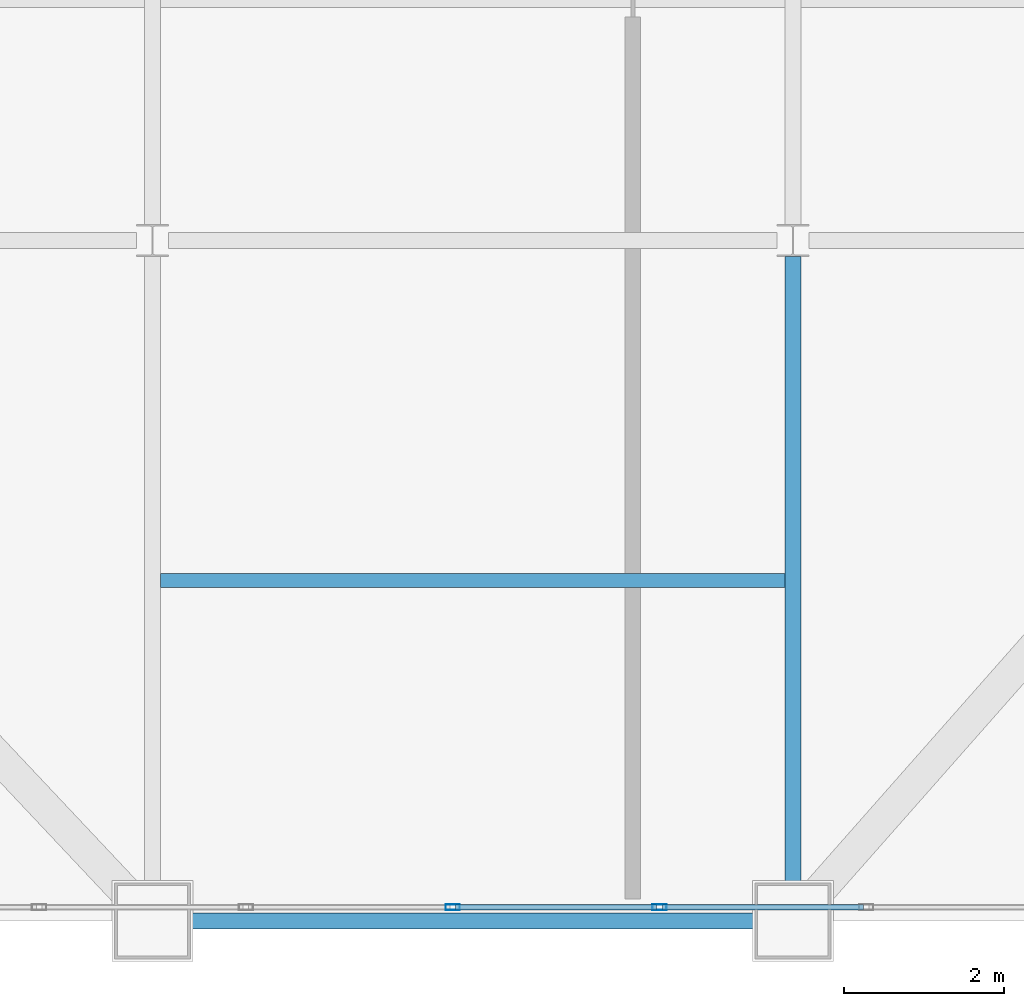
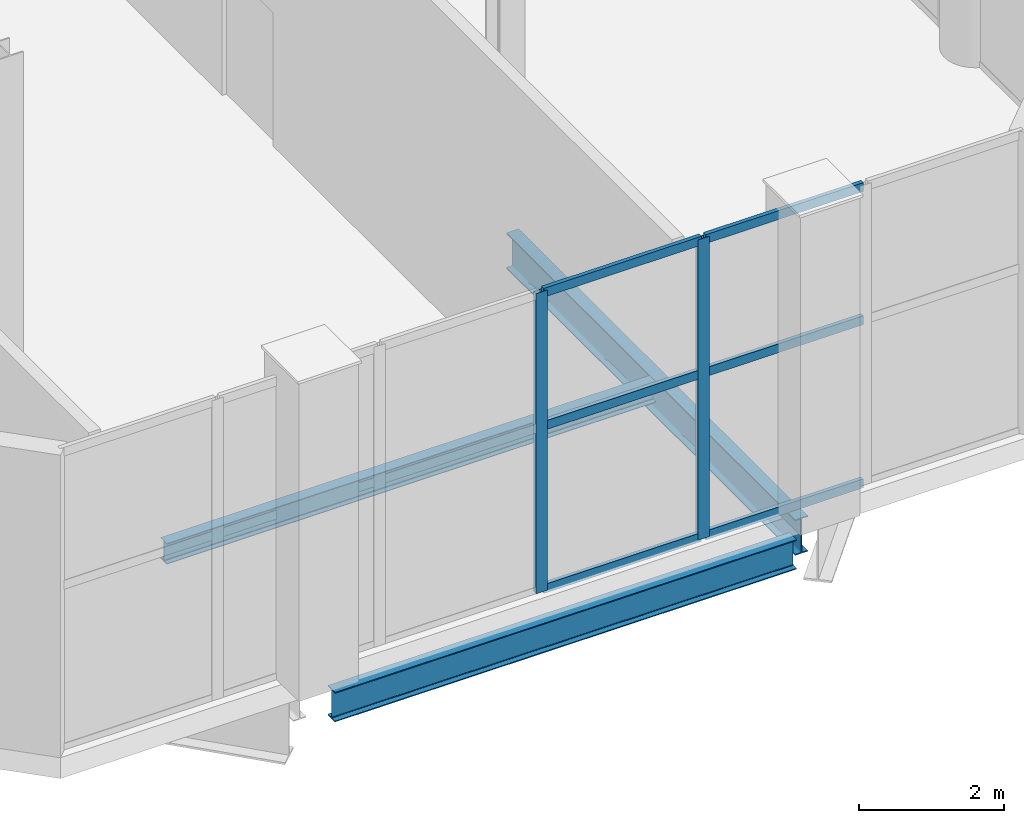
# One storey, part 8 of 24: 8 members, 3 beams, 1 element without a shape of its own.
"""IFC4 building model written with IfcOpenShell, lengths in metres."""

from ifc_helpers import new_model, si_unit, direction, frame, origin, origin_2d, place, context, subcontext, project, spatial, hollow_rectangle, i_section, extrude, material, layer, layer_set, material_profile, profile_set, type_object, element, aggregate, save


model = new_model("IFC4")

# Units and contexts
model_context = context("Model", 3, precision=1e-05, world=origin(), true_north=direction((0.0, 1.0)))
body_context = subcontext(model_context, "Body", "Model", "MODEL_VIEW")
ifc_project = project(units=[si_unit("LENGTHUNIT", "METRE"), si_unit("AREAUNIT", "SQUARE_METRE"), si_unit("VOLUMEUNIT", "CUBIC_METRE"), si_unit("PLANEANGLEUNIT", "RADIAN"), si_unit("MASSUNIT", "GRAM", prefix="KILO")], contexts=[model_context])

# Site, building, storey
site_placement = place(None, origin())
site = spatial("IfcSite", under=ifc_project, at=site_placement, CompositionType="ELEMENT")
building_placement = place(site_placement, origin())
building = spatial("IfcBuilding", under=site, at=building_placement, Name="Qianrong Seaharbour Tower", CompositionType="ELEMENT")
storey_placement = place(building_placement, frame((0.0, 0.0, 195.0)))
storey = spatial("IfcBuildingStorey", under=building, at=storey_placement, Name="L47", CompositionType="ELEMENT", Elevation=195.0)

# Beams
ifc_material_1 = material(Name="Structural steel SN490B", Category="steel")
ifc_material_profile_1 = material_profile(ifc_material_1, i_section(OverallWidth=0.199951171875, OverallDepth=0.60009765625, WebThickness=0.010986328125, FlangeThickness=0.01708984375, FilletRadius=0.02197265625, at=origin_2d()), Name="H600x200x11x17")
ifc_profile_set_1 = profile_set([ifc_material_profile_1], Name="Structural steel SN490B")
beam_type_1 = type_object("IfcBeamType", Name="BM-G-600", PredefinedType="BEAM", material=ifc_profile_set_1)
beam_1_placement = place(storey_placement, frame((56.5, 4.320068359375, -0.64990234375), z_axis=(0.0, 1.0, 0.0), x_axis=(-1.0, 0.0, 0.0)))
element("IfcBeam", 1, at=beam_1_placement, inside=storey, type_object=beam_type_1, Name="L47 Primary Girder G8 GB-GC", PredefinedType="BEAM", context=body_context, shape_type="SweptSolid", body=[
    extrude(i_section(OverallWidth=0.199951171875, OverallDepth=0.60009765625, WebThickness=0.010986328125, FlangeThickness=0.01708984375, FilletRadius=0.02197265625, at=origin_2d()), origin(), (0.0, 0.0, 1.0), 7.97998046875),
])
ifc_material_2 = material(Name="Structural steel SN400B", Category="steel")
ifc_material_profile_2 = material_profile(ifc_material_2, i_section(OverallWidth=0.175048828125, OverallDepth=0.35009765625, WebThickness=0.007080078125, FlangeThickness=0.010986328125, FilletRadius=0.013916015625, at=origin_2d()), Name="H350x175x7x11")
ifc_profile_set_2 = profile_set([ifc_material_profile_2], Name="Structural steel SN400B")
beam_type_2 = type_object("IfcBeamType", Name="BM-J-350", PredefinedType="JOIST", material=ifc_profile_set_2)
beam_2_placement = place(storey_placement, frame((48.60009765625, 8.25, -0.52490234375), z_axis=(1.0, 0.0, 0.0), x_axis=(0.0, 1.0, 0.0)))
element("IfcBeam", 2, at=beam_2_placement, inside=storey, type_object=beam_type_2, Name="L47 Composite Floor Joist G7-G8/GB-GC", PredefinedType="JOIST", context=body_context, shape_type="SweptSolid", body=[
    extrude(i_section(OverallWidth=0.175048828125, OverallDepth=0.35009765625, WebThickness=0.007080078125, FlangeThickness=0.010986328125, FilletRadius=0.013916015625, at=origin_2d()), origin(), (0.0, 0.0, 1.0), 7.7998046875),
])
ifc_material_profile_3 = material_profile(ifc_material_1, i_section(OverallWidth=0.199951171875, OverallDepth=0.5, WebThickness=0.010009765625, FlangeThickness=0.01611328125, FilletRadius=0.02001953125, at=origin_2d()), Name="H500x200x10x16")
ifc_profile_set_3 = profile_set([ifc_material_profile_3], Name="Structural steel SN490B")
beam_type_3 = type_object("IfcBeamType", Name="BM-SP-500", PredefinedType="SPANDREL", material=ifc_profile_set_3)
beam_3_placement = place(storey_placement, frame((48.820068359375, 4.0, -0.60009765625), z_axis=(1.0, 0.0, 0.0), x_axis=(0.0, 1.0, 0.0)))
element("IfcBeam", 3, at=beam_3_placement, inside=storey, type_object=beam_type_3, Name="L47 Spandrel Girder GB G7-G8", PredefinedType="SPANDREL", context=body_context, shape_type="SweptSolid", body=[
    extrude(i_section(OverallWidth=0.199951171875, OverallDepth=0.5, WebThickness=0.010009765625, FlangeThickness=0.01611328125, FilletRadius=0.02001953125, at=origin_2d()), origin(), (0.0, 0.0, 1.0), 7.35986328125),
])

# Curtain wall, members
ifc_material_3 = material(Name="Anodised aluminium 6063-T6 and laminated low-e glass", Category="aluminium")
ifc_layer = layer(ifc_material_3, 0.18505859375)
ifc_layer_set = layer_set([ifc_layer], Name="Anodised aluminium 6063-T6 and laminated low-e glass")
curtain_wall_type = type_object("IfcCurtainWallType", Name="CW-SYS-4", PredefinedType="NOTDEFINED", material=ifc_layer_set)
curtain_wall_placement = place(storey_placement, origin())
curtain_wall = element("IfcCurtainWall", 4, at=curtain_wall_placement, inside=storey, type_object=curtain_wall_type, Name="L47 Refuge Acoustic Louvre Curtain Wall SOUTH_TIP", PredefinedType="NOTDEFINED")
ifc_material_4 = material(Name="Extruded aluminium 6063-T6", Category="aluminium")
ifc_material_profile_4 = material_profile(ifc_material_4, hollow_rectangle(XDim=0.070068359375, YDim=0.179931640625, WallThickness=0.00390625, at=origin_2d()), Name="ALU-MUL-180x70x4")
ifc_profile_set_4 = profile_set([ifc_material_profile_4], Name="Extruded aluminium 6063-T6")
member_type_1 = type_object("IfcMemberType", Name="CW-MUL-180", PredefinedType="MULLION", material=ifc_profile_set_4)
member_1_placement = place(storey_placement, frame((54.833251953125, 4.169921875, 0.0), z_axis=(0.0, 0.0, 1.0), x_axis=(0.0, -1.0, 0.0)))
member_1 = element("IfcMember", 5, at=member_1_placement, type_object=member_type_1, Name="CW-4 mullion 3", PredefinedType="MULLION", context=body_context, shape_type="SweptSolid", body=[
    extrude(hollow_rectangle(XDim=0.070068359375, YDim=0.179931640625, WallThickness=0.00390625, at=origin_2d()), origin(), (0.0, 0.0, 1.0), 5.06005859375),
])
member_2_placement = place(storey_placement, frame((52.25, 4.169921875, 0.0), z_axis=(0.0, 0.0, 1.0), x_axis=(0.0, -1.0, 0.0)))
member_2 = element("IfcMember", 6, at=member_2_placement, type_object=member_type_1, Name="CW-4 mullion 4", PredefinedType="MULLION", context=body_context, shape_type="SweptSolid", body=[
    extrude(hollow_rectangle(XDim=0.070068359375, YDim=0.179931640625, WallThickness=0.00390625, at=origin_2d()), origin(), (0.0, 0.0, 1.0), 5.06005859375),
])
ifc_material_profile_5 = material_profile(ifc_material_4, hollow_rectangle(XDim=0.06494140625, YDim=0.14990234375, WallThickness=0.00390625, at=origin_2d()), Name="ALU-TRN-150x65x4")
ifc_profile_set_5 = profile_set([ifc_material_profile_5], Name="Extruded aluminium 6063-T6")
member_type_2 = type_object("IfcMemberType", Name="CW-TRN-150", PredefinedType="USERDEFINED", material=ifc_profile_set_5)
member_3_placement = place(storey_placement, frame((57.381591796875, 4.169921875, 0.032470703125), z_axis=(-1.0, 0.0, 0.0), x_axis=(0.0, -1.0, 0.0)))
member_3 = element("IfcMember", 7, at=member_3_placement, type_object=member_type_2, Name="CW-4 transom 2.1", ObjectType="TRANSOM", PredefinedType="USERDEFINED", context=body_context, shape_type="SweptSolid", body=[
    extrude(hollow_rectangle(XDim=0.06494140625, YDim=0.14990234375, WallThickness=0.00390625, at=origin_2d()), origin(), (0.0, 0.0, 1.0), 2.51318359375),
])
member_4_placement = place(storey_placement, frame((57.381591796875, 4.169921875, 2.782958984375), z_axis=(-1.0, 0.0, 0.0), x_axis=(0.0, -1.0, 0.0)))
member_4 = element("IfcMember", 8, at=member_4_placement, type_object=member_type_2, Name="CW-4 transom 2.2", ObjectType="TRANSOM", PredefinedType="USERDEFINED", context=body_context, shape_type="SweptSolid", body=[
    extrude(hollow_rectangle(XDim=0.06494140625, YDim=0.14990234375, WallThickness=0.00390625, at=origin_2d()), origin(), (0.0, 0.0, 1.0), 2.51318359375),
])
member_5_placement = place(storey_placement, frame((57.381591796875, 4.169921875, 5.027587890625), z_axis=(-1.0, 0.0, 0.0), x_axis=(0.0, -1.0, 0.0)))
member_5 = element("IfcMember", 9, at=member_5_placement, type_object=member_type_2, Name="CW-4 transom 2.3", ObjectType="TRANSOM", PredefinedType="USERDEFINED", context=body_context, shape_type="SweptSolid", body=[
    extrude(hollow_rectangle(XDim=0.06494140625, YDim=0.14990234375, WallThickness=0.00390625, at=origin_2d()), origin(), (0.0, 0.0, 1.0), 2.51318359375),
])
member_6_placement = place(storey_placement, frame((54.79833984375, 4.169921875, 0.032470703125), z_axis=(-1.0, 0.0, 0.0), x_axis=(0.0, -1.0, 0.0)))
member_6 = element("IfcMember", 10, at=member_6_placement, type_object=member_type_2, Name="CW-4 transom 3.1", ObjectType="TRANSOM", PredefinedType="USERDEFINED", context=body_context, shape_type="SweptSolid", body=[
    extrude(hollow_rectangle(XDim=0.06494140625, YDim=0.14990234375, WallThickness=0.00390625, at=origin_2d()), origin(), (0.0, 0.0, 1.0), 2.513427734375),
])
member_7_placement = place(storey_placement, frame((54.79833984375, 4.169921875, 2.782958984375), z_axis=(-1.0, 0.0, 0.0), x_axis=(0.0, -1.0, 0.0)))
member_7 = element("IfcMember", 11, at=member_7_placement, type_object=member_type_2, Name="CW-4 transom 3.2", ObjectType="TRANSOM", PredefinedType="USERDEFINED", context=body_context, shape_type="SweptSolid", body=[
    extrude(hollow_rectangle(XDim=0.06494140625, YDim=0.14990234375, WallThickness=0.00390625, at=origin_2d()), origin(), (0.0, 0.0, 1.0), 2.513427734375),
])
member_8_placement = place(storey_placement, frame((54.79833984375, 4.169921875, 5.027587890625), z_axis=(-1.0, 0.0, 0.0), x_axis=(0.0, -1.0, 0.0)))
member_8 = element("IfcMember", 12, at=member_8_placement, type_object=member_type_2, Name="CW-4 transom 3.3", ObjectType="TRANSOM", PredefinedType="USERDEFINED", context=body_context, shape_type="SweptSolid", body=[
    extrude(hollow_rectangle(XDim=0.06494140625, YDim=0.14990234375, WallThickness=0.00390625, at=origin_2d()), origin(), (0.0, 0.0, 1.0), 2.513427734375),
])
aggregate(curtain_wall, [member_1, member_2, member_3, member_4, member_5, member_6, member_7, member_8])

save(model, "model.ifc")
